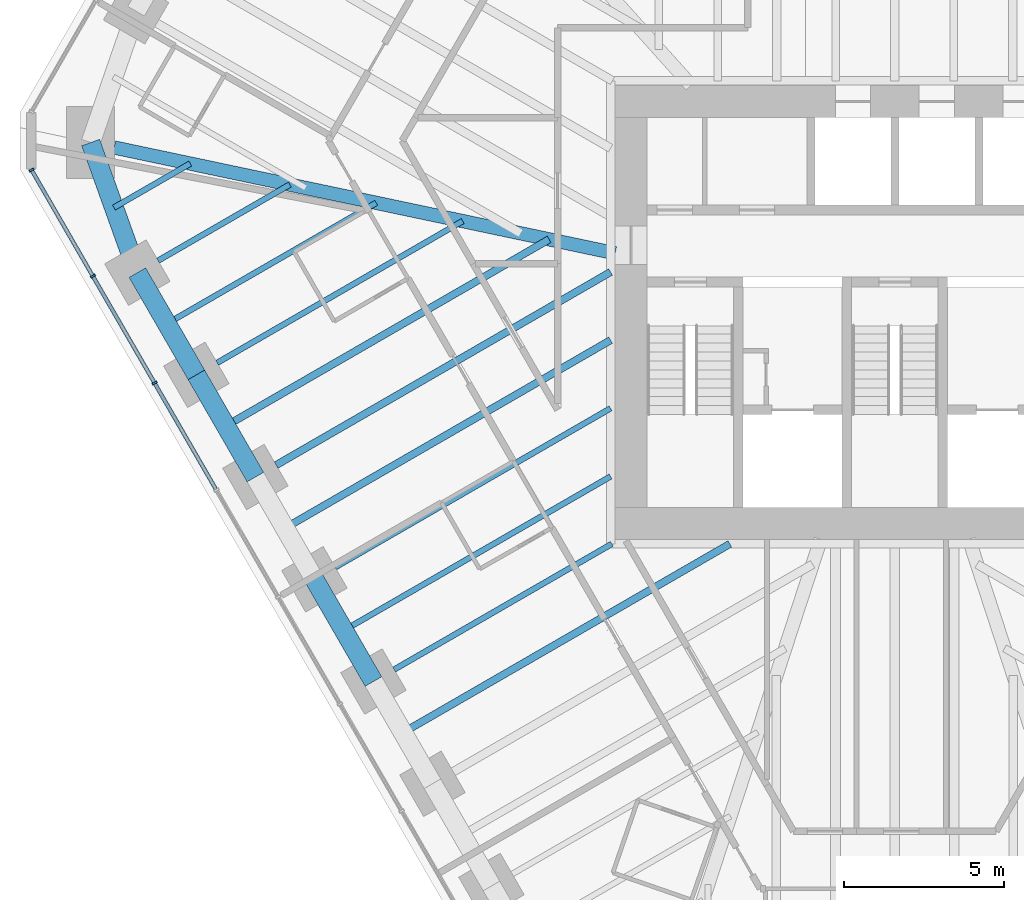
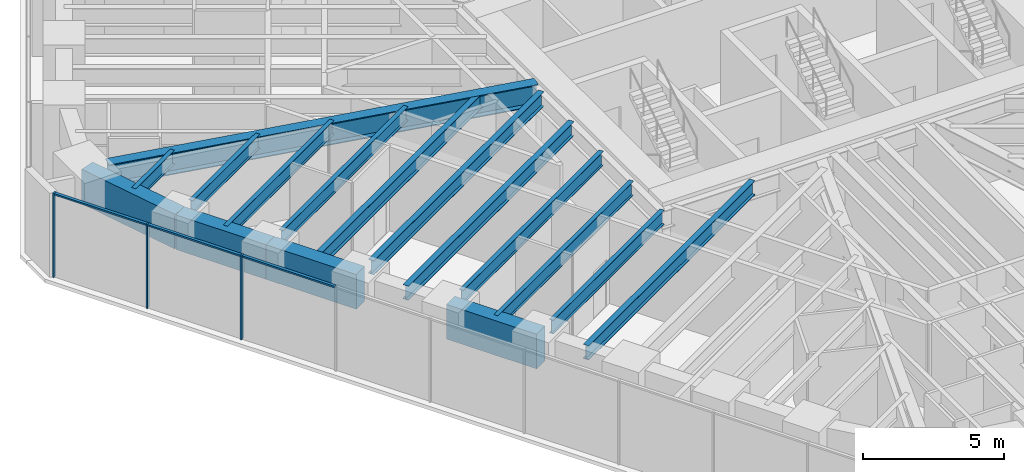
# One storey, part 3 of 16: 16 beams, 6 members, 1 element without a shape of its own.
"""IFC4 building model written with IfcOpenShell, lengths in metres."""

from ifc_helpers import new_model, si_unit, direction, frame, origin, origin_2d, place, context, subcontext, project, spatial, rectangle, i_section, extrude, material, material_profile, profile_set, type_object, element, aggregate, save


model = new_model("IFC4")

# Units and contexts
model_context = context("Model", 3, precision=1e-05, world=origin(), true_north=direction((0.0, 1.0)))
body_context = subcontext(model_context, "Body", "Model", "MODEL_VIEW")
ifc_project = project(units=[si_unit("LENGTHUNIT", "METRE"), si_unit("AREAUNIT", "SQUARE_METRE"), si_unit("VOLUMEUNIT", "CUBIC_METRE"), si_unit("PLANEANGLEUNIT", "RADIAN"), si_unit("MASSUNIT", "GRAM", prefix="KILO")], contexts=[model_context])

# Site, building, storey
site_placement = place(None, origin())
site = spatial("IfcSite", under=ifc_project, at=site_placement, CompositionType="ELEMENT")
building_placement = place(site_placement, origin())
building = spatial("IfcBuilding", under=site, at=building_placement, Name="Sandreach Pilgrim Tower", CompositionType="ELEMENT")
storey_placement = place(building_placement, frame((0.0, 0.0, 206.0)))
storey = spatial("IfcBuildingStorey", under=building, at=storey_placement, Name="L51", CompositionType="ELEMENT", Elevation=206.0)

# Curtain wall, members
ifc_material_1 = material(Name="Aluminium framed curtain wall", Category="aluminium")
curtain_wall_type = type_object("IfcCurtainWallType", Name="Upper hotel tower curtain wall", PredefinedType="NOTDEFINED", material=ifc_material_1)
curtain_wall_placement = place(storey_placement, origin())
curtain_wall = element("IfcCurtainWall", 1, at=curtain_wall_placement, inside=storey, type_object=curtain_wall_type, Name="CW-3 L51 SW", PredefinedType="NOTDEFINED")
ifc_material_2 = material(Name="Aluminium extrusion", Category="aluminium")
ifc_material_profile_1 = material_profile(ifc_material_2, rectangle(XDim=0.06494140625, YDim=0.159912109375, at=origin_2d()), Name="CW-3M 65X160")
ifc_profile_set_1 = profile_set([ifc_material_profile_1], Name="Aluminium extrusion")
member_type_1 = type_object("IfcMemberType", Name="CW-3 mullion", PredefinedType="MULLION", material=ifc_profile_set_1)
member_1_placement = place(storey_placement, frame((-23.15576171875, -2.21337890625, 0.0), z_axis=(0.0, 0.0, 1.0), x_axis=(-0.5, 0.866025403784, 0.0)))
member_1 = element("IfcMember", 2, at=member_1_placement, type_object=member_type_1, Name="CW-3 mullion 8", PredefinedType="MULLION", context=body_context, shape_type="SweptSolid", body=[
    extrude(rectangle(XDim=0.06494140625, YDim=0.159912109375, at=origin_2d()), origin(), (0.0, 0.0, 1.0), 3.639892578125),
])
member_2_placement = place(storey_placement, frame((-25.087890625, 1.13330078125, 0.0), z_axis=(0.0, 0.0, 1.0), x_axis=(-0.5, 0.866025403784, 0.0)))
member_2 = element("IfcMember", 3, at=member_2_placement, type_object=member_type_1, Name="CW-3 mullion 9", PredefinedType="MULLION", context=body_context, shape_type="SweptSolid", body=[
    extrude(rectangle(XDim=0.06494140625, YDim=0.159912109375, at=origin_2d()), origin(), (0.0, 0.0, 1.0), 3.639892578125),
])
member_3_placement = place(storey_placement, frame((-27.00390625, 4.451904296875, 0.0), z_axis=(0.0, 0.0, 1.0), x_axis=(-0.5, 0.866025403784, 0.0)))
member_3 = element("IfcMember", 4, at=member_3_placement, type_object=member_type_1, Name="CW-3 mullion 10", PredefinedType="MULLION", context=body_context, shape_type="SweptSolid", body=[
    extrude(rectangle(XDim=0.06494140625, YDim=0.159912109375, at=origin_2d()), origin(), (0.0, 0.0, 1.0), 3.639892578125),
])
ifc_material_3 = material(Name="Aluminium extrusion", Category="aluminium")
ifc_material_profile_2 = material_profile(ifc_material_3, rectangle(XDim=0.1201171875, YDim=0.070068359375, at=origin_2d()), Name="CW-3T 120X70")
ifc_profile_set_2 = profile_set([ifc_material_profile_2], Name="Aluminium extrusion")
member_type_2 = type_object("IfcMemberType", Name="CW-3 transom", PredefinedType="USERDEFINED", material=ifc_profile_set_2)
member_4_placement = place(storey_placement, frame((-21.23974609375, -5.531982421875, 3.60498046875), z_axis=(-0.499974606132, 0.866040064445, 0.0), x_axis=(-0.866040064445, -0.499974606132, 0.0)))
member_4 = element("IfcMember", 5, at=member_4_placement, type_object=member_type_2, Name="CW-3 head transom 7", ObjectType="TRANSOM", PredefinedType="USERDEFINED", context=body_context, shape_type="SweptSolid", body=[
    extrude(rectangle(XDim=0.1201171875, YDim=0.070068359375, at=origin_2d()), origin(), (0.0, 0.0, 1.0), 3.799560546875),
])
member_5_placement = place(storey_placement, frame((-23.171875, -2.185302734375, 3.60498046875), z_axis=(-0.500022797313, 0.86601224135, 0.0), x_axis=(-0.86601224135, -0.500022797313, 0.0)))
member_5 = element("IfcMember", 6, at=member_5_placement, type_object=member_type_2, Name="CW-3 head transom 8", ObjectType="TRANSOM", PredefinedType="USERDEFINED", context=body_context, shape_type="SweptSolid", body=[
    extrude(rectangle(XDim=0.1201171875, YDim=0.070068359375, at=origin_2d()), origin(), (0.0, 0.0, 1.0), 3.799560546875),
])
member_6_placement = place(storey_placement, frame((-25.104248046875, 1.161376953125, 3.60498046875), z_axis=(-0.499944992379, 0.86605716012, 0.0), x_axis=(-0.86605716012, -0.499944992379, 0.0)))
member_6 = element("IfcMember", 7, at=member_6_placement, type_object=member_type_2, Name="CW-3 head transom 9", ObjectType="TRANSOM", PredefinedType="USERDEFINED", context=body_context, shape_type="SweptSolid", body=[
    extrude(rectangle(XDim=0.1201171875, YDim=0.070068359375, at=origin_2d()), origin(), (0.0, 0.0, 1.0), 3.76708984375),
])
aggregate(curtain_wall, [member_1, member_2, member_3, member_4, member_5, member_6])

# Beams
ifc_material_4 = material(Name="Steel ASTM A992 Grade 50", Category="steel")
ifc_material_profile_3 = material_profile(ifc_material_4, i_section(OverallWidth=0.421630859375, OverallDepth=0.937255859375, WebThickness=0.0224609375, FlangeThickness=0.039794921875, at=origin_2d()), Name="W36X282")
ifc_profile_set_3 = profile_set([ifc_material_profile_3], Name="Steel ASTM A992 Grade 50")
beam_type_1 = type_object("IfcBeamType", Name="Corner girder W36X282", PredefinedType="BEAM", material=ifc_profile_set_3)
beam_1_placement = place(storey_placement, frame((-24.422607421875, 5.156494140625, 3.17138671875), z_axis=(0.978428978804, -0.206583478132, 0.0), x_axis=(0.206583478132, 0.978428978804, 0.0)))
element("IfcBeam", 8, at=beam_1_placement, inside=storey, type_object=beam_type_1, Name="BM L51 CG35", PredefinedType="BEAM", context=body_context, shape_type="SweptSolid", body=[
    extrude(i_section(OverallWidth=0.421630859375, OverallDepth=0.937255859375, WebThickness=0.0224609375, FlangeThickness=0.039794921875, at=origin_2d()), origin(), (0.0, 0.0, 1.0), 16.01806640625),
])
ifc_material_5 = material(Name="Steel ASTM A992 Grade 50", Category="steel")
ifc_material_profile_4 = material_profile(ifc_material_5, i_section(OverallWidth=0.1787109375, OverallDepth=0.60205078125, WebThickness=0.010986328125, FlangeThickness=0.014892578125, at=origin_2d()), Name="W24X62")
ifc_profile_set_4 = profile_set([ifc_material_profile_4], Name="Steel ASTM A992 Grade 50")
beam_type_2 = type_object("IfcBeamType", Name="Floor beam W24X62", PredefinedType="BEAM", material=ifc_profile_set_4)
beam_2_placement = place(storey_placement, frame((-15.661376953125, -11.173828125, 3.339111328125), z_axis=(0.866038711524, 0.49997694961, 0.0), x_axis=(-0.49997694961, 0.866038711524, 0.0)))
element("IfcBeam", 9, at=beam_2_placement, inside=storey, type_object=beam_type_2, Name="BM L51 F30", PredefinedType="BEAM", context=body_context, shape_type="SweptSolid", body=[
    extrude(i_section(OverallWidth=0.1787109375, OverallDepth=0.60205078125, WebThickness=0.010986328125, FlangeThickness=0.014892578125, at=origin_2d()), origin(), (0.0, 0.0, 1.0), 7.861083984375),
])
beam_3_placement = place(storey_placement, frame((-17.507568359375, -7.97607421875, 3.339111328125), z_axis=(0.866027815265, 0.499995823171, 0.0), x_axis=(-0.499995823171, 0.866027815265, 0.0)))
element("IfcBeam", 10, at=beam_3_placement, inside=storey, type_object=beam_type_2, Name="BM L51 F31", PredefinedType="BEAM", context=body_context, shape_type="SweptSolid", body=[
    extrude(i_section(OverallWidth=0.1787109375, OverallDepth=0.60205078125, WebThickness=0.010986328125, FlangeThickness=0.014892578125, at=origin_2d()), origin(), (0.0, 0.0, 1.0), 9.94677734375),
])
beam_4_placement = place(storey_placement, frame((-21.2001953125, -1.58056640625, 3.339111328125), z_axis=(0.866027448082, 0.499996459156, 0.0), x_axis=(-0.499996459156, 0.866027448082, 0.0)))
element("IfcBeam", 11, at=beam_4_placement, inside=storey, type_object=beam_type_2, Name="BM L51 F33", PredefinedType="BEAM", context=body_context, shape_type="SweptSolid", body=[
    extrude(i_section(OverallWidth=0.1787109375, OverallDepth=0.60205078125, WebThickness=0.010986328125, FlangeThickness=0.014892578125, at=origin_2d()), origin(), (0.0, 0.0, 1.0), 8.86962890625),
])
beam_5_placement = place(storey_placement, frame((-23.04638671875, 1.6171875, 3.339111328125), z_axis=(0.86603347311, 0.499986023258, 0.0), x_axis=(-0.499986023258, 0.86603347311, 0.0)))
element("IfcBeam", 12, at=beam_5_placement, inside=storey, type_object=beam_type_2, Name="BM L51 F34", PredefinedType="BEAM", context=body_context, shape_type="SweptSolid", body=[
    extrude(i_section(OverallWidth=0.1787109375, OverallDepth=0.60205078125, WebThickness=0.010986328125, FlangeThickness=0.014892578125, at=origin_2d()), origin(), (0.0, 0.0, 1.0), 4.757568359375),
])
beam_6_placement = place(storey_placement, frame((-17.23388671875, -9.949951171875, 3.339111328125), z_axis=(0.866025593094, 0.499999672107, 0.0), x_axis=(-0.499999672107, 0.866025593094, 0.0)))
element("IfcBeam", 13, at=beam_6_placement, inside=storey, type_object=beam_type_2, Name="BM L51 FM30", PredefinedType="BEAM", context=body_context, shape_type="SweptSolid", body=[
    extrude(i_section(OverallWidth=0.1787109375, OverallDepth=0.60205078125, WebThickness=0.010986328125, FlangeThickness=0.014892578125, at=origin_2d()), origin(), (0.0, 0.0, 1.0), 9.630859375),
])
beam_7_placement = place(storey_placement, frame((-22.772705078125, -0.356689453125, 3.339111328125), z_axis=(0.866029704776, 0.49999255039, 0.0), x_axis=(-0.49999255039, 0.866029704776, 0.0)))
element("IfcBeam", 14, at=beam_7_placement, inside=storey, type_object=beam_type_2, Name="BM L51 FM33", PredefinedType="BEAM", context=body_context, shape_type="SweptSolid", body=[
    extrude(i_section(OverallWidth=0.1787109375, OverallDepth=0.60205078125, WebThickness=0.010986328125, FlangeThickness=0.014892578125, at=origin_2d()), origin(), (0.0, 0.0, 1.0), 7.5634765625),
])
beam_8_placement = place(storey_placement, frame((-24.42626953125, 3.27685546875, 3.339111328125), z_axis=(0.866046803606, 0.49996293259, 0.0), x_axis=(-0.49996293259, 0.866046803606, 0.0)))
element("IfcBeam", 15, at=beam_8_placement, inside=storey, type_object=beam_type_2, Name="BM L51 FM34", PredefinedType="BEAM", context=body_context, shape_type="SweptSolid", body=[
    extrude(i_section(OverallWidth=0.1787109375, OverallDepth=0.60205078125, WebThickness=0.010986328125, FlangeThickness=0.014892578125, at=origin_2d()), origin(), (0.0, 0.0, 1.0), 2.753662109375),
])
ifc_material_6 = material(Name="Steel ASTM A992 Grade 50", Category="steel")
ifc_material_profile_5 = material_profile(ifc_material_6, i_section(OverallWidth=0.23046875, OverallDepth=0.6171875, WebThickness=0.01318359375, FlangeThickness=0.022216796875, at=origin_2d()), Name="W24X94")
ifc_profile_set_5 = profile_set([ifc_material_profile_5], Name="Steel ASTM A992 Grade 50")
beam_type_3 = type_object("IfcBeamType", Name="Floor beam W24X94", PredefinedType="BEAM", material=ifc_profile_set_5)
beam_9_placement = place(storey_placement, frame((-19.353759765625, -4.7783203125, 3.331298828125), z_axis=(0.866026713419, 0.49999773164, 0.0), x_axis=(-0.49999773164, 0.866026713419, 0.0)))
element("IfcBeam", 16, at=beam_9_placement, inside=storey, type_object=beam_type_3, Name="BM L51 F32", PredefinedType="BEAM", context=body_context, shape_type="SweptSolid", body=[
    extrude(i_section(OverallWidth=0.23046875, OverallDepth=0.6171875, WebThickness=0.01318359375, FlangeThickness=0.022216796875, at=origin_2d()), origin(), (0.0, 0.0, 1.0), 12.07861328125),
])
beam_10_placement = place(storey_placement, frame((-15.3876953125, -13.14794921875, 3.331298828125), z_axis=(0.866022050506, 0.500005808004, 0.0), x_axis=(-0.500005808004, 0.866022050506, 0.0)))
element("IfcBeam", 17, at=beam_10_placement, inside=storey, type_object=beam_type_3, Name="BM L51 FM29", PredefinedType="BEAM", context=body_context, shape_type="SweptSolid", body=[
    extrude(i_section(OverallWidth=0.23046875, OverallDepth=0.6171875, WebThickness=0.01318359375, FlangeThickness=0.022216796875, at=origin_2d()), origin(), (0.0, 0.0, 1.0), 11.808837890625),
])
beam_11_placement = place(storey_placement, frame((-19.080322265625, -6.752197265625, 3.331298828125), z_axis=(0.866030053141, 0.499991946992, 0.0), x_axis=(-0.499991946992, 0.866030053141, 0.0)))
element("IfcBeam", 18, at=beam_11_placement, inside=storey, type_object=beam_type_3, Name="BM L51 FM31", PredefinedType="BEAM", context=body_context, shape_type="SweptSolid", body=[
    extrude(i_section(OverallWidth=0.23046875, OverallDepth=0.6171875, WebThickness=0.01318359375, FlangeThickness=0.022216796875, at=origin_2d()), origin(), (0.0, 0.0, 1.0), 11.762939453125),
])
beam_12_placement = place(storey_placement, frame((-20.926513671875, -3.554443359375, 3.331298828125), z_axis=(0.866026454974, 0.499998179282, 0.0), x_axis=(-0.499998179282, 0.866026454974, 0.0)))
element("IfcBeam", 19, at=beam_12_placement, inside=storey, type_object=beam_type_3, Name="BM L51 FM32", PredefinedType="BEAM", context=body_context, shape_type="SweptSolid", body=[
    extrude(i_section(OverallWidth=0.23046875, OverallDepth=0.6171875, WebThickness=0.01318359375, FlangeThickness=0.022216796875, at=origin_2d()), origin(), (0.0, 0.0, 1.0), 11.67578125),
])
ifc_material_7 = material(Name="Concrete 10000 psi", Category="concrete")
ifc_material_profile_6 = material_profile(ifc_material_7, rectangle(XDim=0.60009765625, YDim=1.5, at=origin_2d()), Name="RC600X1500")
ifc_profile_set_6 = profile_set([ifc_material_profile_6], Name="Concrete 10000 psi")
beam_type_4 = type_object("IfcBeamType", Name="Spandrel beam RC600X1500", PredefinedType="SPANDREL", material=ifc_profile_set_6)
beam_13_placement = place(storey_placement, frame((-16.310791015625, -11.548828125, 2.889892578125), z_axis=(-0.500042951019, 0.866000604582, 0.0), x_axis=(-0.866000604582, -0.500042951019, 0.0)))
element("IfcBeam", 20, at=beam_13_placement, inside=storey, type_object=beam_type_4, Name="BM L51 SP30", PredefinedType="SPANDREL", context=body_context, shape_type="SweptSolid", body=[
    extrude(rectangle(XDim=0.60009765625, YDim=1.5, at=origin_2d()), origin(), (0.0, 0.0, 1.0), 3.692626953125),
])
for number, where, z_axis, x_axis, name in (
    (21, (-20.00341796875, -5.1533203125, 2.889892578125), (-0.499993363642, 0.866029235253, 0.0), (-0.866029235253, -0.499993363642, 0.0), "BM L51 SP32"),
    (22, (-21.849609375, -1.95556640625, 2.889892578125), (-0.499993363642, 0.866029235253, 0.0), (-0.866029235253, -0.499993363642, 0.0), "BM L51 SP33"),
):
    element("IfcBeam", number, at=place(storey_placement, frame(where, z_axis=z_axis, x_axis=x_axis)), inside=storey, type_object=beam_type_4, Name=name, PredefinedType="SPANDREL", context=body_context, shape_type="SweptSolid", body=[
        extrude(rectangle(XDim=0.60009765625, YDim=1.5, at=origin_2d()), origin(), (0.0, 0.0, 1.0), 3.6923828125),
    ])
beam_14_placement = place(storey_placement, frame((-23.69580078125, 1.2421875, 2.889892578125), z_axis=(-0.337863470932, 0.941195131208, 0.0), x_axis=(-0.941195131208, -0.337863470932, 0.0)))
element("IfcBeam", 23, at=beam_14_placement, inside=storey, type_object=beam_type_4, Name="BM L51 SP34", PredefinedType="SPANDREL", context=body_context, shape_type="SweptSolid", body=[
    extrude(rectangle(XDim=0.60009765625, YDim=1.5, at=origin_2d()), origin(), (0.0, 0.0, 1.0), 4.3232421875),
])

save(model, "model.ifc")
